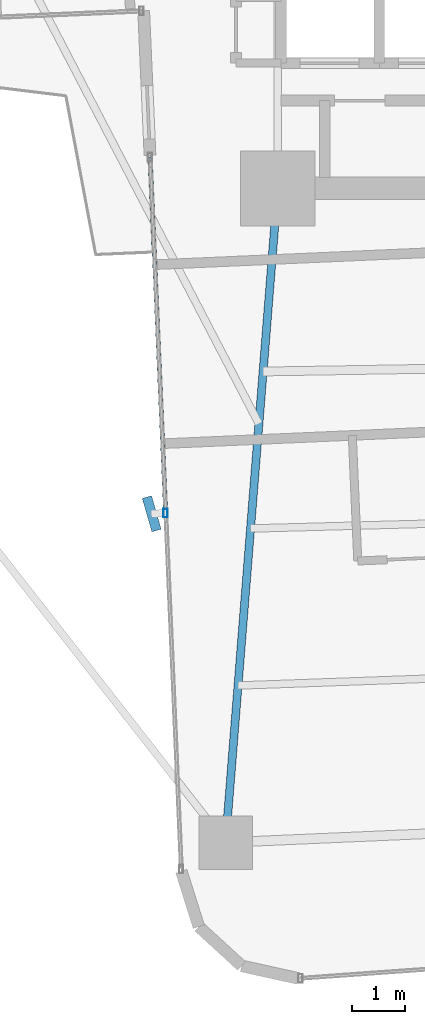
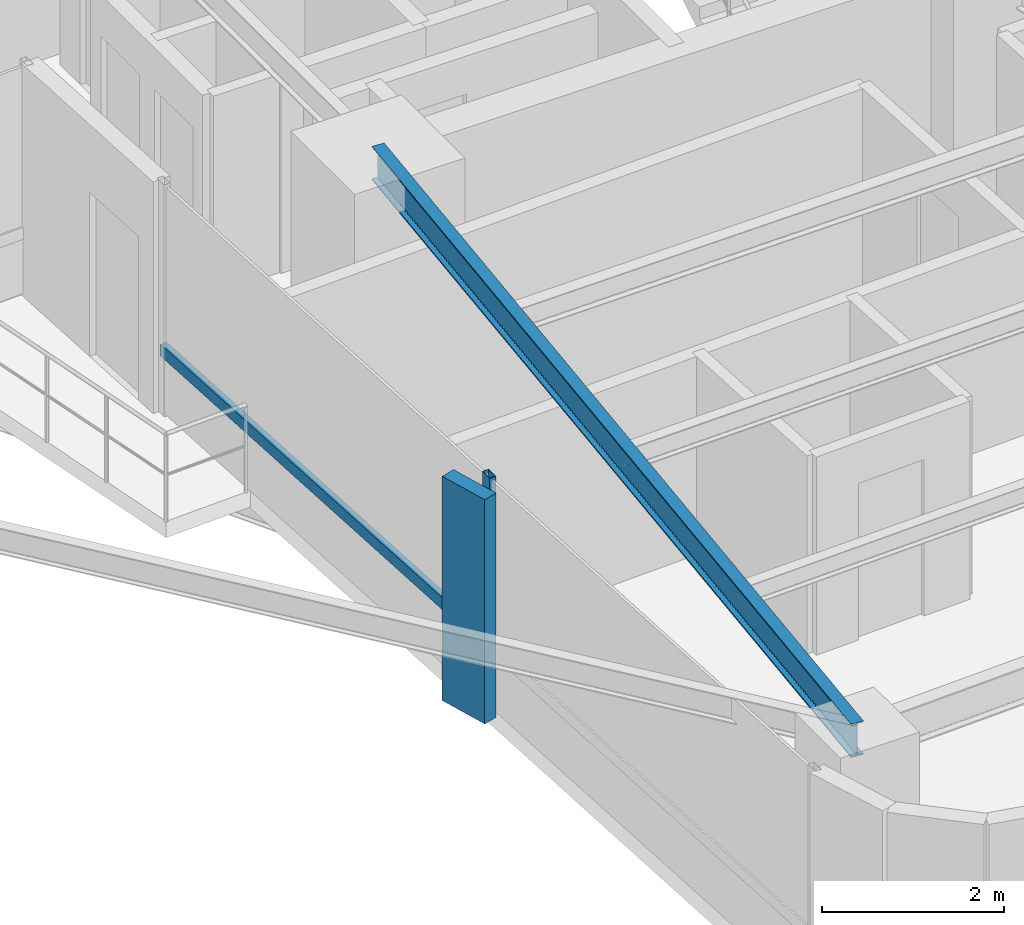
# One storey, part 4 of 26: 3 members, 1 beam, 1 element without a shape of its own.
"""IFC4 building model written with IfcOpenShell, lengths in metres."""

from ifc_helpers import new_model, si_unit, direction, frame, origin, origin_2d, place, context, subcontext, project, spatial, rectangle, hollow_rectangle, i_section, extrude, source, transform, mapped, material, material_profile, profile_set, type_object, element, aggregate, save


model = new_model("IFC4")

# Units and contexts
model_context = context("Model", 3, precision=1e-05, world=origin(), true_north=direction((0.0, 1.0)))
body_context = subcontext(model_context, "Body", "Model", "MODEL_VIEW")
ifc_project = project(units=[si_unit("LENGTHUNIT", "METRE"), si_unit("AREAUNIT", "SQUARE_METRE"), si_unit("VOLUMEUNIT", "CUBIC_METRE"), si_unit("PLANEANGLEUNIT", "RADIAN"), si_unit("MASSUNIT", "GRAM", prefix="KILO")], contexts=[model_context])

# Site, building, storey
site_placement = place(None, origin())
site = spatial("IfcSite", under=ifc_project, at=site_placement, CompositionType="ELEMENT")
building_placement = place(site_placement, origin())
building = spatial("IfcBuilding", under=site, at=building_placement, Name="Sahyath Konkavel Grand Hotel", CompositionType="ELEMENT")
storey_placement = place(building_placement, frame((0.0, 0.0, 93.550048828125)))
storey = spatial("IfcBuildingStorey", under=building, at=storey_placement, Name="L25", CompositionType="ELEMENT", Elevation=93.550048828125)

# Beam
ifc_material_1 = material(Name="Steel E350", Category="steel")
ifc_material_profile_1 = material_profile(ifc_material_1, i_section(OverallWidth=0.14990234375, OverallDepth=0.449951171875, WebThickness=0.009521484375, FlangeThickness=0.017333984375, FilletRadius=0.014892578125, at=origin_2d()), Name="ISMB 450")
ifc_profile_set_1 = profile_set([ifc_material_profile_1], Name="Steel E350")
beam_type = type_object("IfcBeamType", Name="BM-ISMB450", PredefinedType="BEAM", material=ifc_profile_set_1)
shared_shape_1 = source(origin(), body_context, "Body", "SweptSolid", [
    extrude(i_section(OverallWidth=0.14990234375, OverallDepth=0.449951171875, WebThickness=0.009521484375, FlangeThickness=0.017333984375, FilletRadius=0.014892578125, at=origin_2d()), origin(), (0.0, 0.0, 1.0), 12.2685546875),
])
beam_placement = place(storey_placement, frame((-3.800048828125, -10.199951171875, 2.885009765625), z_axis=(-0.079558563357, -0.996830193662, 0.0), x_axis=(0.996830193662, -0.079558563357, 0.0)))
element("IfcBeam", 1, at=beam_placement, inside=storey, type_object=beam_type, Name="L25 Cruciform Radial Girder SA", PredefinedType="BEAM", context=body_context, shape_type="MappedRepresentation", body=[
    mapped(shared_shape_1, transform((0.0, 0.0, 0.0), scale=1.0)),
])

# Curtain wall, members
ifc_material_2 = material(Name="Anodised Bronze Aluminium & Low-E Glazing", Category="aluminium")
curtain_wall_type = type_object("IfcCurtainWallType", Name="CW-ZONE2", PredefinedType="NOTDEFINED", material=ifc_material_2)
curtain_wall_placement = place(storey_placement, origin())
curtain_wall = element("IfcCurtainWall", 2, at=curtain_wall_placement, inside=storey, type_object=curtain_wall_type, Name="L25 Unitised Curtain Wall F24", PredefinedType="NOTDEFINED")
ifc_material_3 = material(Name="Anodised Bronze Aluminium", Category="aluminium")
ifc_material_profile_2 = material_profile(ifc_material_3, hollow_rectangle(XDim=0.080078125, YDim=0.159912109375, WallThickness=0.006103515625, at=origin_2d()), Name="RHS 160x80x6")
ifc_profile_set_2 = profile_set([ifc_material_profile_2], Name="Anodised Bronze Aluminium")
member_type_1 = type_object("IfcMemberType", Name="CW-MUL-160", PredefinedType="MULLION", material=ifc_profile_set_2)
shared_shape_2 = source(origin(), body_context, "Body", "SweptSolid", [
    extrude(hollow_rectangle(XDim=0.080078125, YDim=0.159912109375, WallThickness=0.006103515625, at=origin_2d()), origin(), (0.0, 0.0, 1.0), 3.10986328125),
])
member_1_placement = place(storey_placement, frame((-5.895751953125, -16.272705078125, 0.0), z_axis=(0.0, 0.0, 1.0), x_axis=(1.0, 0.0, 0.0)))
member_1 = element("IfcMember", 3, at=member_1_placement, type_object=member_type_1, Name="L25 Curtain Wall Mullion F24-1", PredefinedType="MULLION", context=body_context, shape_type="MappedRepresentation", body=[
    mapped(shared_shape_2, transform((0.0, 0.0, 0.0), scale=1.0)),
])
ifc_material_4 = material(Name="Warm Buff Sandstone Cladding on Concrete C50/60", Category="masonry")
ifc_material_profile_3 = material_profile(ifc_material_4, rectangle(XDim=0.179931640625, YDim=0.64990234375, at=origin_2d()), Name="FIN 180x650")
ifc_profile_set_3 = profile_set([ifc_material_profile_3], Name="Warm Buff Sandstone Cladding on Concrete C50/60")
member_type_2 = type_object("IfcMemberType", Name="FIN-SANDSTONE-650", PredefinedType="MULLION", material=ifc_profile_set_3)
shared_shape_3 = source(origin(), body_context, "Body", "SweptSolid", [
    extrude(rectangle(XDim=0.179931640625, YDim=0.64990234375, at=origin_2d()), origin(), (0.0, 0.0, 1.0), 3.010009765625),
])
member_2_placement = place(storey_placement, frame((-6.155517578125, -16.283935546875, 0.050048828125), z_axis=(0.0, 0.0, 1.0), x_axis=(0.961069030524, 0.276308375854, 0.0)))
member_2 = element("IfcMember", 4, at=member_2_placement, type_object=member_type_2, Name="L25 Sandstone Vertical Solar Fin FIN F24-1", PredefinedType="MULLION", context=body_context, shape_type="MappedRepresentation", body=[
    mapped(shared_shape_3, transform((0.0, 0.0, 0.0), scale=1.0)),
])
ifc_material_profile_4 = material_profile(ifc_material_3, hollow_rectangle(XDim=0.080078125, YDim=0.159912109375, WallThickness=0.006103515625, at=origin_2d()), Name="RHS 160x80x6")
ifc_profile_set_4 = profile_set([ifc_material_profile_4], Name="Anodised Bronze Aluminium")
member_type_3 = type_object("IfcMemberType", Name="CW-TRN-160", PredefinedType="USERDEFINED", material=ifc_profile_set_4)
shared_shape_4 = source(origin(), body_context, "Body", "SweptSolid", [
    extrude(hollow_rectangle(XDim=0.080078125, YDim=0.159912109375, WallThickness=0.006103515625, at=origin_2d()), origin(), (0.0, 0.0, 1.0), 6.66015625),
])
member_3_placement = place(storey_placement, frame((-6.186279296875, -9.618896484375, 0.849853515625), z_axis=(0.043621753165, -0.999048118286, 0.0), x_axis=(0.999048118286, 0.043621753165, 0.0)))
member_3 = element("IfcMember", 5, at=member_3_placement, type_object=member_type_3, Name="L25 Curtain Wall Transom F24-0-spandrel", ObjectType="TRANSOM", PredefinedType="USERDEFINED", context=body_context, shape_type="MappedRepresentation", body=[
    mapped(shared_shape_4, transform((0.0, 0.0, 0.0), scale=1.0)),
])
aggregate(curtain_wall, [member_1, member_2, member_3])

save(model, "model.ifc")
